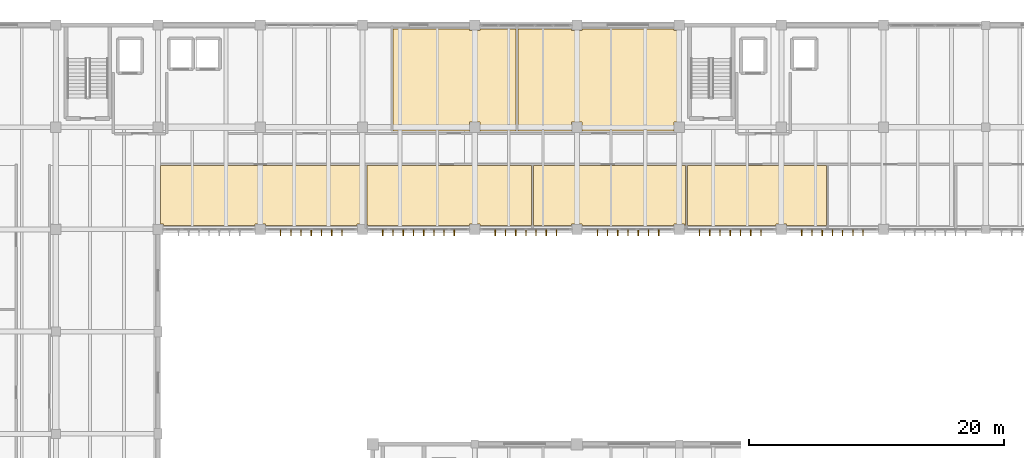
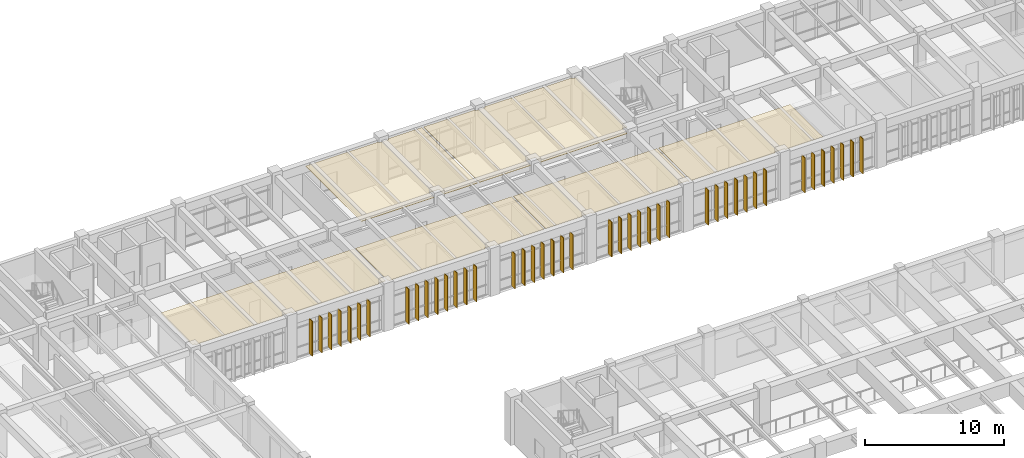
# One storey, part 62 of 67: 43 shading devices, 6 coverings.
"""IFC4 building model written with IfcOpenShell, lengths in metres."""

from ifc_helpers import new_model, si_unit, direction, frame, origin, origin_2d, place, context, subcontext, project, spatial, polyline, rectangle, outline, extrude, material, layer, layer_set, type_object, element, save


model = new_model("IFC4")

# Units and contexts
model_context = context("Model", 3, precision=1e-05, world=origin(), true_north=direction((0.0, 1.0)))
body_context = subcontext(model_context, "Body", "Model", "MODEL_VIEW")
ifc_project = project(units=[si_unit("LENGTHUNIT", "METRE"), si_unit("AREAUNIT", "SQUARE_METRE"), si_unit("VOLUMEUNIT", "CUBIC_METRE"), si_unit("PLANEANGLEUNIT", "RADIAN"), si_unit("MASSUNIT", "GRAM", prefix="KILO")], contexts=[model_context])

# Site, building, storey
site_placement = place(None, origin())
site = spatial("IfcSite", under=ifc_project, at=site_placement, CompositionType="ELEMENT")
building_placement = place(site_placement, origin())
building = spatial("IfcBuilding", under=site, at=building_placement, Name="Tlaxcora Railside Police Headquarters", CompositionType="ELEMENT")
storey_placement = place(building_placement, frame((0.0, 0.0, 4.800048828125)))
storey = spatial("IfcBuildingStorey", under=building, at=storey_placement, Name="L01", CompositionType="ELEMENT", Elevation=4.800048828125)

# Coverings
ifc_material_1 = material(Name="Mineral-fibre acoustic ceiling tile")
ifc_layer_1 = layer(ifc_material_1, 0.034912109375, Name="Mineral-fibre acoustic ceiling tile")
ifc_layer_set_1 = layer_set([ifc_layer_1], Name="Mineral-fibre acoustic ceiling tile")
covering_type = type_object("IfcCoveringType", Name="Acoustic Suspended Ceiling CLG-01", PredefinedType="CEILING", material=ifc_layer_set_1)
covering_1_placement = place(storey_placement, frame((0.0, 0.0, 3.764892578125)))
element("IfcCovering", 1, at=covering_1_placement, inside=storey, type_object=covering_type, Name="Metropolitan Patrol Operations Division suspended ceiling", PredefinedType="CEILING", context=body_context, shape_type="SweptSolid", body=[
    extrude(outline(polyline([(45.386962890625, 81.800048828125), (29.39990234375, 81.800048828125), (29.39990234375, 77.2099609375), (29.610107421875, 77.2099609375), (29.610107421875, 77.10009765625), (36.7900390625, 77.10009765625), (36.7900390625, 77.2099609375), (37.610107421875, 77.2099609375), (37.610107421875, 77.10009765625), (44.7900390625, 77.10009765625), (44.7900390625, 77.2099609375), (45.386962890625, 77.2099609375), (45.386962890625, 81.800048828125)])), origin(), (0.0, 0.0, 1.0), 0.03515625),
])
covering_2_placement = place(storey_placement, frame((0.0, 0.0, 3.764892578125)))
element("IfcCovering", 2, at=covering_2_placement, inside=storey, type_object=covering_type, Name="Traffic Incident Investigation Suite suspended ceiling", PredefinedType="CEILING", context=body_context, shape_type="SweptSolid", body=[
    extrude(outline(polyline([(45.547119140625, 81.800048828125), (45.547119140625, 77.2099609375), (45.610107421875, 77.2099609375), (45.610107421875, 77.10009765625), (53.590087890625, 77.10009765625), (53.590087890625, 77.2099609375), (54.409912109375, 77.2099609375), (54.409912109375, 77.10009765625), (58.44091796875, 77.10009765625), (58.44091796875, 81.800048828125), (45.547119140625, 81.800048828125)])), origin(), (0.0, 0.0, 1.0), 0.03515625),
])
covering_3_placement = place(storey_placement, frame((0.0, 0.0, 3.764892578125)))
element("IfcCovering", 3, at=covering_3_placement, inside=storey, type_object=covering_type, Name="Municipal Transit Police Coordination Office suspended ceiling", PredefinedType="CEILING", context=body_context, shape_type="SweptSolid", body=[
    extrude(outline(polyline([(58.60107421875, 81.800048828125), (58.60107421875, 77.10009765625), (61.590087890625, 77.10009765625), (61.590087890625, 77.2099609375), (62.409912109375, 77.2099609375), (62.409912109375, 77.10009765625), (69.590087890625, 77.10009765625), (69.590087890625, 77.2099609375), (70.409912109375, 77.2099609375), (70.409912109375, 77.10009765625), (70.490966796875, 77.10009765625), (70.490966796875, 81.800048828125), (58.60107421875, 81.800048828125)])), origin(), (0.0, 0.0, 1.0), 0.03515625),
])
covering_4_placement = place(storey_placement, frame((0.0, 0.0, 3.764892578125)))
element("IfcCovering", 4, at=covering_4_placement, inside=storey, type_object=covering_type, Name="Tactical Shift Briefing Room L01 suspended ceiling", PredefinedType="CEILING", context=body_context, shape_type="SweptSolid", body=[
    extrude(outline(polyline([(70.65087890625, 77.10009765625), (77.590087890625, 77.10009765625), (77.590087890625, 77.2099609375), (78.409912109375, 77.2099609375), (78.409912109375, 77.10009765625), (81.537109375, 77.10009765625), (81.537109375, 81.800048828125), (70.65087890625, 81.800048828125), (70.65087890625, 77.10009765625)])), origin(), (0.0, 0.0, 1.0), 0.03515625),
])
covering_5_placement = place(storey_placement, frame((0.0, 0.0, 3.764892578125)))
element("IfcCovering", 5, at=covering_5_placement, inside=storey, type_object=covering_type, Name="Accessible WC and Staff Restrooms L01 suspended ceiling", PredefinedType="CEILING", context=body_context, shape_type="SweptSolid", body=[
    extrude(outline(polyline([(47.591064453125, 92.5), (47.591064453125, 84.5), (53.590087890625, 84.5), (53.590087890625, 85.2099609375), (54.409912109375, 85.2099609375), (54.409912109375, 84.5), (57.208984375, 84.5), (57.208984375, 92.5), (54.409912109375, 92.5), (54.409912109375, 92.389892578125), (53.590087890625, 92.389892578125), (53.590087890625, 92.5), (47.591064453125, 92.5)])), origin(), (0.0, 0.0, 1.0), 0.03515625),
])
covering_6_placement = place(storey_placement, frame((0.0, 0.0, 3.764892578125)))
element("IfcCovering", 6, at=covering_6_placement, inside=storey, type_object=covering_type, Name="Case File Active Store L01 suspended ceiling", PredefinedType="CEILING", context=body_context, shape_type="SweptSolid", body=[
    extrude(outline(polyline([(61.590087890625, 92.389892578125), (61.590087890625, 92.5), (57.368896484375, 92.5), (57.368896484375, 84.5), (61.590087890625, 84.5), (61.590087890625, 85.2099609375), (62.409912109375, 85.2099609375), (62.409912109375, 84.5), (69.590087890625, 84.5), (69.590087890625, 85.2099609375), (70.0, 85.2099609375), (70.0, 92.389892578125), (69.590087890625, 92.389892578125), (69.590087890625, 92.5), (62.409912109375, 92.5), (62.409912109375, 92.389892578125), (61.590087890625, 92.389892578125)])), origin(), (0.0, 0.0, 1.0), 0.03515625),
])

# Shading devices
ifc_material_2 = material(Name="Anodised aluminium framing", Category="aluminium")
ifc_layer_2 = layer(ifc_material_2, 0.054931640625, Name="Anodised aluminium framing")
ifc_layer_set_2 = layer_set([ifc_layer_2], Name="Anodised aluminium framing")
shading_device_type = type_object("IfcShadingDeviceType", Name="Solar Control Fin SF-01", PredefinedType="JALOUSIE", material=ifc_layer_set_2)
for number, where, z_axis, x_axis, name in (
    (7, (38.800048828125, 76.5400390625, 0.039794921875), (0.0, 0.0, 1.0), (0.0, -1.0, 0.0), "Vertical solar fin 32"),
    (8, (39.60009765625, 76.5400390625, 0.039794921875), (0.0, 0.0, 1.0), (0.0, -1.0, 0.0), "Vertical solar fin 33"),
    (9, (40.39990234375, 76.5400390625, 0.039794921875), (0.0, 0.0, 1.0), (0.0, -1.0, 0.0), "Vertical solar fin 34"),
    (10, (41.199951171875, 76.5400390625, 0.039794921875), (0.0, 0.0, 1.0), (0.0, -1.0, 0.0), "Vertical solar fin 35"),
    (11, (42.0, 76.5400390625, 0.039794921875), (0.0, 0.0, 1.0), (0.0, -1.0, 0.0), "Vertical solar fin 36"),
    (12, (42.800048828125, 76.5400390625, 0.039794921875), (0.0, 0.0, 1.0), (0.0, -1.0, 0.0), "Vertical solar fin 37"),
    (13, (43.60009765625, 76.5400390625, 0.039794921875), (0.0, 0.0, 1.0), (0.0, -1.0, 0.0), "Vertical solar fin 38"),
    (14, (46.800048828125, 76.5400390625, 0.039794921875), (0.0, 0.0, 1.0), (0.0, -1.0, 0.0), "Vertical solar fin 39"),
    (15, (47.60009765625, 76.5400390625, 0.039794921875), (0.0, 0.0, 1.0), (0.0, -1.0, 0.0), "Vertical solar fin 40"),
    (16, (48.39990234375, 76.5400390625, 0.039794921875), (0.0, 0.0, 1.0), (0.0, -1.0, 0.0), "Vertical solar fin 41"),
    (17, (49.199951171875, 76.5400390625, 0.039794921875), (0.0, 0.0, 1.0), (0.0, -1.0, 0.0), "Vertical solar fin 42"),
    (18, (50.0, 76.5400390625, 0.039794921875), (0.0, 0.0, 1.0), (0.0, -1.0, 0.0), "Vertical solar fin 43"),
    (19, (50.800048828125, 76.5400390625, 0.039794921875), (0.0, 0.0, 1.0), (0.0, -1.0, 0.0), "Vertical solar fin 44"),
    (20, (51.60009765625, 76.5400390625, 0.039794921875), (0.0, 0.0, 1.0), (0.0, -1.0, 0.0), "Vertical solar fin 45"),
    (21, (52.39990234375, 76.5400390625, 0.039794921875), (0.0, 0.0, 1.0), (0.0, -1.0, 0.0), "Vertical solar fin 46"),
    (22, (55.60009765625, 76.5400390625, 0.039794921875), (0.0, 0.0, 1.0), (0.0, -1.0, 0.0), "Vertical solar fin 47"),
    (23, (56.39990234375, 76.5400390625, 0.039794921875), (0.0, 0.0, 1.0), (0.0, -1.0, 0.0), "Vertical solar fin 48"),
    (24, (57.199951171875, 76.5400390625, 0.039794921875), (0.0, 0.0, 1.0), (0.0, -1.0, 0.0), "Vertical solar fin 49"),
    (25, (58.0, 76.5400390625, 0.039794921875), (0.0, 0.0, 1.0), (0.0, -1.0, 0.0), "Vertical solar fin 50"),
    (26, (58.800048828125, 76.5400390625, 0.039794921875), (0.0, 0.0, 1.0), (0.0, -1.0, 0.0), "Vertical solar fin 51"),
    (27, (59.60009765625, 76.5400390625, 0.039794921875), (0.0, 0.0, 1.0), (0.0, -1.0, 0.0), "Vertical solar fin 52"),
    (28, (60.39990234375, 76.5400390625, 0.039794921875), (0.0, 0.0, 1.0), (0.0, -1.0, 0.0), "Vertical solar fin 53"),
    (29, (63.60009765625, 76.5400390625, 0.039794921875), (0.0, 0.0, 1.0), (0.0, -1.0, 0.0), "Vertical solar fin 54"),
    (30, (64.39990234375, 76.5400390625, 0.039794921875), (0.0, 0.0, 1.0), (0.0, -1.0, 0.0), "Vertical solar fin 55"),
    (31, (65.199951171875, 76.5400390625, 0.039794921875), (0.0, 0.0, 1.0), (0.0, -1.0, 0.0), "Vertical solar fin 56"),
    (32, (66.0, 76.5400390625, 0.039794921875), (0.0, 0.0, 1.0), (0.0, -1.0, 0.0), "Vertical solar fin 57"),
    (33, (66.800048828125, 76.5400390625, 0.039794921875), (0.0, 0.0, 1.0), (0.0, -1.0, 0.0), "Vertical solar fin 58"),
    (34, (67.60009765625, 76.5400390625, 0.039794921875), (0.0, 0.0, 1.0), (0.0, -1.0, 0.0), "Vertical solar fin 59"),
    (35, (68.39990234375, 76.5400390625, 0.039794921875), (0.0, 0.0, 1.0), (0.0, -1.0, 0.0), "Vertical solar fin 60"),
    (36, (71.60009765625, 76.5400390625, 0.039794921875), (0.0, 0.0, 1.0), (0.0, -1.0, 0.0), "Vertical solar fin 61"),
    (37, (72.39990234375, 76.5400390625, 0.039794921875), (0.0, 0.0, 1.0), (0.0, -1.0, 0.0), "Vertical solar fin 62"),
    (38, (73.199951171875, 76.5400390625, 0.039794921875), (0.0, 0.0, 1.0), (0.0, -1.0, 0.0), "Vertical solar fin 63"),
    (39, (74.0, 76.5400390625, 0.039794921875), (0.0, 0.0, 1.0), (0.0, -1.0, 0.0), "Vertical solar fin 64"),
    (40, (74.800048828125, 76.5400390625, 0.039794921875), (0.0, 0.0, 1.0), (0.0, -1.0, 0.0), "Vertical solar fin 65"),
    (41, (75.60009765625, 76.5400390625, 0.039794921875), (0.0, 0.0, 1.0), (0.0, -1.0, 0.0), "Vertical solar fin 66"),
    (42, (76.39990234375, 76.5400390625, 0.039794921875), (0.0, 0.0, 1.0), (0.0, -1.0, 0.0), "Vertical solar fin 67"),
    (43, (79.60009765625, 76.5400390625, 0.039794921875), (0.0, 0.0, 1.0), (0.0, -1.0, 0.0), "Vertical solar fin 68"),
    (44, (80.39990234375, 76.5400390625, 0.039794921875), (0.0, 0.0, 1.0), (0.0, -1.0, 0.0), "Vertical solar fin 69"),
    (45, (81.199951171875, 76.5400390625, 0.039794921875), (0.0, 0.0, 1.0), (0.0, -1.0, 0.0), "Vertical solar fin 70"),
    (46, (82.0, 76.5400390625, 0.039794921875), (0.0, 0.0, 1.0), (0.0, -1.0, 0.0), "Vertical solar fin 71"),
    (47, (82.800048828125, 76.5400390625, 0.039794921875), (0.0, 0.0, 1.0), (0.0, -1.0, 0.0), "Vertical solar fin 72"),
    (48, (83.60009765625, 76.5400390625, 0.039794921875), (0.0, 0.0, 1.0), (0.0, -1.0, 0.0), "Vertical solar fin 73"),
    (49, (84.39990234375, 76.5400390625, 0.039794921875), (0.0, 0.0, 1.0), (0.0, -1.0, 0.0), "Vertical solar fin 74"),
):
    element("IfcShadingDevice", number, at=place(storey_placement, frame(where, z_axis=z_axis, x_axis=x_axis)), inside=storey, type_object=shading_device_type, Name=name, PredefinedType="JALOUSIE", context=body_context, shape_type="SweptSolid", body=[
        extrude(rectangle(XDim=0.47998046875, YDim=0.054931640625, at=origin_2d()), origin(), (0.0, 0.0, 1.0), 3.080078125),
    ])

save(model, "model.ifc")
